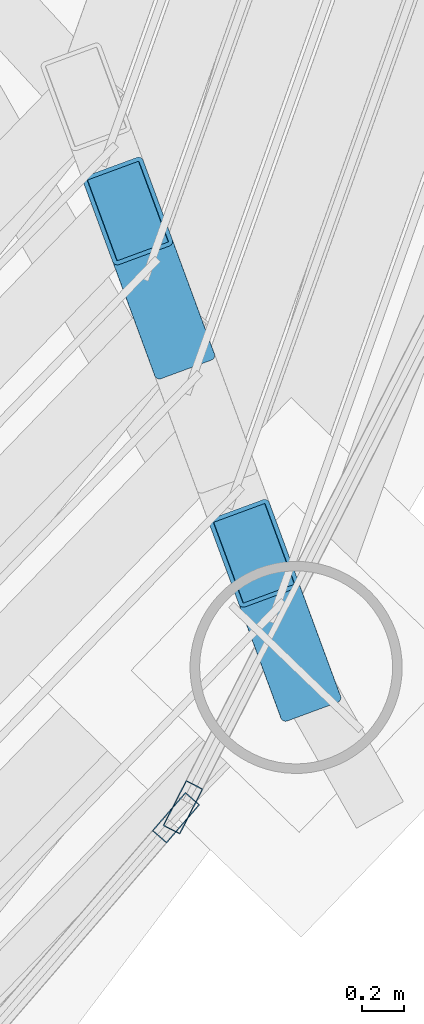
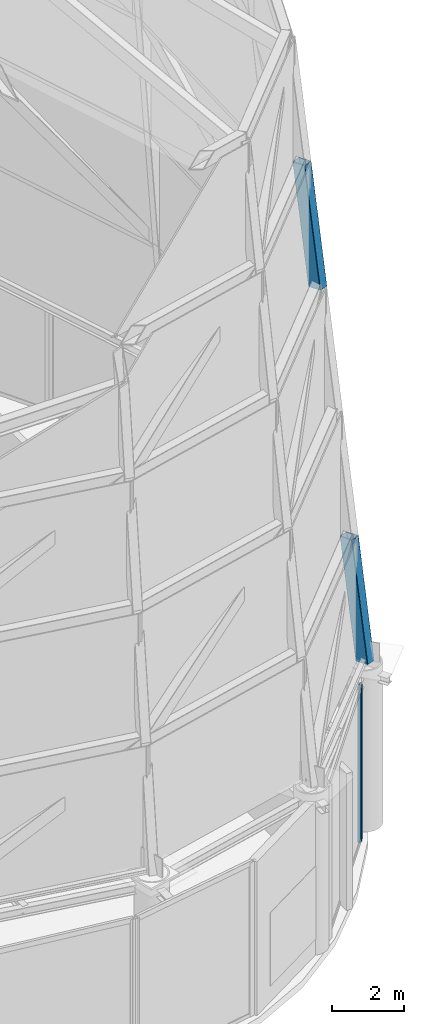
# One storey, part 15 of 40: 4 members, 2 elements without a shape of their own.
"""IFC4 building model written with IfcOpenShell, lengths in metres."""

import ifcopenshell
import ifcopenshell.guid

model = None  # the IFC model being written
_history = None  # IfcOwnerHistory: only IFC2X3 demands one
_inside = {}  # id of a spatial element -> (the spatial element, [elements in it])
_under = {}  # id of a project, library or spatial element -> (it, [spatial elements below it])
_declared = {}  # id of a project -> (the project, [libraries it declares])
_typed = {}  # id of a type object -> (the type object, [elements of that type])
_made_of = {}  # id of a material, layer set ... -> (it, [elements and type objects made of it])


def new_model(schema):
    """Start an empty IFC model of exactly this schema.

    Asked for "IFC4X3", IfcOpenShell would pick the latest addendum, in which some entities
    have other attributes; the version numbers below select the first issue.
    IFC2X3 requires an IfcOwnerHistory on every rooted entity: one is made here for all.
    """
    global model, _history
    if schema == "IFC4X3":
        model = ifcopenshell.file(schema_version=(4, 3, 0, 0))
    else:
        model = ifcopenshell.file(schema=schema)
    _inside.clear()
    _under.clear()
    _declared.clear()
    _typed.clear()
    _made_of.clear()
    _history = None
    if model.schema == "IFC2X3":
        org = make("IfcOrganization", Name="unknown")
        user = make(
            "IfcPersonAndOrganization",
            ThePerson=make("IfcPerson", FamilyName="unknown"),
            TheOrganization=org,
        )
        app = make(
            "IfcApplication",
            ApplicationDeveloper=org,
            Version="unknown",
            ApplicationFullName="unknown",
            ApplicationIdentifier="unknown",
        )
        _history = make(
            "IfcOwnerHistory",
            OwningUser=user,
            OwningApplication=app,
            ChangeAction="ADDED",
            CreationDate=0,
        )
    return model


def make(cls, **values):
    """One entity of the class cls with the attributes given. An attribute that is None is left unset."""
    return model.create_entity(
        cls, **{name: value for name, value in values.items() if value is not None}
    )


def rooted(cls, **values):
    """An entity with a GlobalId (a new one), such as an element, a storey or a relation."""
    return make(cls, GlobalId=ifcopenshell.guid.new(), OwnerHistory=_history, **values)


def si_unit(unit_type, name, prefix=None):
    """IfcSIUnit, for example si_unit("LENGTHUNIT", "METRE", prefix="MILLI")."""
    return make("IfcSIUnit", UnitType=unit_type, Prefix=prefix, Name=name)


def assignment(units):
    """IfcUnitAssignment: the units of a project."""
    return None if units is None else make("IfcUnitAssignment", Units=units)


def point(xyz):
    """IfcCartesianPoint."""
    return None if xyz is None else make("IfcCartesianPoint", Coordinates=xyz)


def direction(xyz):
    """IfcDirection."""
    return None if xyz is None else make("IfcDirection", DirectionRatios=xyz)


def frame(location, z_axis=None, x_axis=None):
    """IfcAxis2Placement3D, a coordinate frame: its origin and axes. An axis left out is left unset."""
    return make(
        "IfcAxis2Placement3D",
        Location=point(location),
        Axis=direction(z_axis),
        RefDirection=direction(x_axis),
    )


def frame_2d(location, x_axis=None):
    """IfcAxis2Placement2D, a coordinate frame in the plane: its origin and x axis."""
    return make(
        "IfcAxis2Placement2D", Location=point(location), RefDirection=direction(x_axis)
    )


def origin():
    """The frame at (0, 0, 0) with its axes left unset."""
    return frame((0.0, 0.0, 0.0))


def origin_2d():
    """The frame at (0, 0) in the plane with its x axis left unset."""
    return frame_2d((0.0, 0.0))


def place(relative_to, where):
    """IfcLocalPlacement: puts the frame where relative to a parent placement (None: the world)."""
    return make(
        "IfcLocalPlacement", PlacementRelTo=relative_to, RelativePlacement=where
    )


def context(
    kind, dimensions, precision=None, world=None, true_north=None, identifier=None
):
    """IfcGeometricRepresentationContext, for example the 3D "Model" context."""
    return make(
        "IfcGeometricRepresentationContext",
        ContextIdentifier=identifier,
        ContextType=kind,
        CoordinateSpaceDimension=dimensions,
        Precision=precision,
        WorldCoordinateSystem=world,
        TrueNorth=true_north,
    )


def subcontext(parent, identifier, kind, view, scale=None):
    """IfcGeometricRepresentationSubContext, for example "Body" below "Model"."""
    return make(
        "IfcGeometricRepresentationSubContext",
        ContextIdentifier=identifier,
        ContextType=kind,
        ParentContext=parent,
        TargetScale=scale,
        TargetView=view,
    )


def project(units=None, contexts=None):
    """IfcProject with its units and contexts."""
    return rooted(
        "IfcProject",
        Name="project",
        RepresentationContexts=contexts,
        UnitsInContext=assignment(units),
    )


def spatial(cls, under=None, at=None, **own):
    """A site, building, storey or space (cls), placed at a placement, below another one or the project."""
    s = rooted(cls, ObjectPlacement=at, **own)
    if under is not None:
        _under.setdefault(under.id(), (under, []))[1].append(s)
    return s


def profile(cls, at=None, kind="AREA", **sizes):
    """A parametric profile (cls). Its sizes go by their IFC names, for example OverallWidth=200.0."""
    return make(cls, ProfileType=kind, Position=at, **sizes)


def hollow_rectangle(**sizes):
    """IfcRectangleHollowProfileDef."""
    return profile("IfcRectangleHollowProfileDef", **sizes)


def extrude(swept, where, along, depth):
    """IfcExtrudedAreaSolid: the profile swept, set in the frame where, extruded along a direction by depth."""
    return make(
        "IfcExtrudedAreaSolid",
        SweptArea=swept,
        Position=where,
        ExtrudedDirection=direction(along),
        Depth=depth,
    )


def shape(context_of_items, identifier, shape_type, items):
    """IfcShapeRepresentation: the items that make up one representation, for example the "Body"."""
    return make(
        "IfcShapeRepresentation",
        ContextOfItems=context_of_items,
        RepresentationIdentifier=identifier,
        RepresentationType=shape_type,
        Items=items,
    )


def material(Name=None, Category=None):
    """IfcMaterial."""
    return make("IfcMaterial", Name=Name, Category=Category)


def layer(
    of_material, thickness, ventilated=None, Name=None, Category=None, Priority=None
):
    """IfcMaterialLayer: one layer of a wall or slab, of a material (None: an air gap)."""
    return make(
        "IfcMaterialLayer",
        Material=of_material,
        LayerThickness=thickness,
        IsVentilated=ventilated,
        Name=Name,
        Category=Category,
        Priority=Priority,
    )


def layer_set(layers, Name=None):
    """IfcMaterialLayerSet."""
    return make("IfcMaterialLayerSet", MaterialLayers=layers, LayerSetName=Name)


def material_profile(
    of_material, cross_section, Name=None, Category=None, Priority=None
):
    """IfcMaterialProfile: a cross section and its material."""
    return make(
        "IfcMaterialProfile",
        Name=Name,
        Material=of_material,
        Profile=cross_section,
        Priority=Priority,
        Category=Category,
    )


def profile_set(profiles, Name=None, composite=None):
    """IfcMaterialProfileSet."""
    return make(
        "IfcMaterialProfileSet",
        Name=Name,
        MaterialProfiles=profiles,
        CompositeProfile=composite,
    )


def made_of(thing, what):
    """Note that an element or type object is made of a material, layer set ...; save() writes the relation."""
    if what is not None:
        _made_of.setdefault(what.id(), (what, []))[1].append(thing)
    return thing


def type_object(cls, material=None, **own):
    """A type object (cls), such as IfcWallType, which elements share."""
    return made_of(rooted(cls, **own), material)


def element(
    cls,
    number,
    at=None,
    inside=None,
    cuts=None,
    type_object=None,
    material=None,
    context=None,
    identifier="Body",
    shape_type=None,
    held_by="IfcProductDefinitionShape",
    body=None,
    shapes=None,
    **own,
):
    """One element of the class cls, such as IfcWall. Its Tag is "e" and its number.

    at: its placement. inside: the storey or other place that contains it. cuts: it is an
    opening in that element (IfcRelVoidsElement). A single representation is given by context,
    identifier, shape_type and body (its items); several are given by shapes. held_by: the class
    of the entity that holds the representations. save() writes the other relations.
    """
    e = rooted(cls, Tag="e%d" % number, ObjectPlacement=at, **own)
    if body is not None:
        shapes = [shape(context, identifier, shape_type, body)]
    if shapes is not None:
        e.Representation = make(held_by, Representations=shapes)
    if inside is not None:
        _inside.setdefault(inside.id(), (inside, []))[1].append(e)
    if cuts is not None:
        rooted(
            "IfcRelVoidsElement", RelatingBuildingElement=cuts, RelatedOpeningElement=e
        )
    if type_object is not None:
        _typed.setdefault(type_object.id(), (type_object, []))[1].append(e)
    return made_of(e, material)


def aggregate(whole, parts):
    """IfcRelAggregates: a whole, such as a stair, and the parts it consists of."""
    return rooted("IfcRelAggregates", RelatingObject=whole, RelatedObjects=parts)


def save(model, path):
    """Write the relations noted so far, then the file.

    IfcRelAggregates (storeys below a building ...), IfcRelContainedInSpatialStructure (elements
    in a storey), IfcRelDefinesByType, IfcRelAssociatesMaterial and IfcRelDeclares: one each for
    every whole, place, type object, material and project.
    """
    for whole, parts in _under.values():
        aggregate(whole, parts)
    for where, things in _inside.values():
        rooted(
            "IfcRelContainedInSpatialStructure",
            RelatedElements=things,
            RelatingStructure=where,
        )
    for kind, things in _typed.values():
        rooted("IfcRelDefinesByType", RelatedObjects=things, RelatingType=kind)
    for what, things in _made_of.values():
        rooted("IfcRelAssociatesMaterial", RelatedObjects=things, RelatingMaterial=what)
    for by, libraries in _declared.values():
        rooted("IfcRelDeclares", RelatingContext=by, RelatedDefinitions=libraries)
    model.write(path)


model = new_model("IFC4")

# Units and contexts
model_context = context("Model", 3, precision=1e-05, world=origin(), true_north=direction((0.0, 1.0)))
body_context = subcontext(model_context, "Body", "Model", "MODEL_VIEW")
ifc_project = project(units=[si_unit("LENGTHUNIT", "METRE"), si_unit("AREAUNIT", "SQUARE_METRE"), si_unit("VOLUMEUNIT", "CUBIC_METRE"), si_unit("PLANEANGLEUNIT", "RADIAN"), si_unit("MASSUNIT", "GRAM", prefix="KILO")], contexts=[model_context])

# Site, building, storey
site_placement = place(None, origin())
site = spatial("IfcSite", under=ifc_project, at=site_placement, CompositionType="ELEMENT")
building_placement = place(site_placement, origin())
building = spatial("IfcBuilding", under=site, at=building_placement, Name="Bramvorn Convention Spire", CompositionType="ELEMENT")
storey_placement = place(building_placement, frame((0.0, 0.0, 312.5)))
storey = spatial("IfcBuildingStorey", under=building, at=storey_placement, Name="L79", CompositionType="ELEMENT", Elevation=312.5)

# Curtain wall, member
ifc_material_1 = material(Name="Anodised Bronze Unitised Curtain Wall", Category="aluminium")
ifc_layer = layer(ifc_material_1, 0.199951171875)
ifc_layer_set = layer_set([ifc_layer], Name="Anodised Bronze Unitised Curtain Wall - CW-CROWN-SPIRE")
curtain_wall_type = type_object("IfcCurtainWallType", Name="CW-CROWN-SPIRE", PredefinedType="USERDEFINED", material=ifc_layer_set)
curtain_wall_1_placement = place(storey_placement, origin())
curtain_wall_1 = element("IfcCurtainWall", 1, at=curtain_wall_1_placement, inside=storey, type_object=curtain_wall_type, Name="L79 fritted glass curtain wall 02", ObjectType="UNITISED CURTAIN WALL", PredefinedType="USERDEFINED")
ifc_material_2 = material(Name="Anodised Bronze Aluminium 6063-T6", Category="aluminium")
ifc_material_profile_1 = material_profile(ifc_material_2, hollow_rectangle(XDim=0.090087890625, YDim=0.239990234375, WallThickness=0.00439453125, InnerFilletRadius=0.0009765625, OuterFilletRadius=0.00439453125, at=origin_2d()))
ifc_profile_set_1 = profile_set([ifc_material_profile_1], Name="Anodised Bronze Aluminium 6063-T6 - CWM90X240")
member_type_1 = type_object("IfcMemberType", Name="CW-MUL-220", PredefinedType="MULLION", material=ifc_profile_set_1)
member_1_placement = place(storey_placement, frame((52.93994140625, 10.347412109375, 0.0), z_axis=(0.0, 0.0, 1.0), x_axis=(0.756460178654, -0.6540397527, 0.0)))
member_1 = element("IfcMember", 2, at=member_1_placement, type_object=member_type_1, Name="CW6 mullion 1", PredefinedType="MULLION", context=body_context, shape_type="SweptSolid", body=[
    extrude(hollow_rectangle(XDim=0.090087890625, YDim=0.239990234375, WallThickness=0.00439453125, InnerFilletRadius=0.0009765625, OuterFilletRadius=0.00439453125, at=origin_2d()), origin(), (0.0, 0.0, 1.0), 5.25),
])
aggregate(curtain_wall_1, [member_1])

curtain_wall_2_placement = place(storey_placement, origin())
curtain_wall_2 = element("IfcCurtainWall", 3, at=curtain_wall_2_placement, inside=storey, type_object=curtain_wall_type, Name="L79 fritted glass curtain wall 03", ObjectType="UNITISED CURTAIN WALL", PredefinedType="USERDEFINED")
member_2_placement = place(storey_placement, frame((52.97314453125, 10.396728515625, 0.0), z_axis=(0.0, 0.0, 1.0), x_axis=(0.890509664931, -0.454964324607, 0.0)))
member_2 = element("IfcMember", 4, at=member_2_placement, type_object=member_type_1, Name="CW6 mullion 2", PredefinedType="MULLION", context=body_context, shape_type="SweptSolid", body=[
    extrude(hollow_rectangle(XDim=0.090087890625, YDim=0.239990234375, WallThickness=0.00439453125, InnerFilletRadius=0.0009765625, OuterFilletRadius=0.00439453125, at=origin_2d()), origin(), (0.0, 0.0, 1.0), 5.25),
])
aggregate(curtain_wall_2, [member_2])

# Members
ifc_material_3 = material(Name="Steel CSA G40.21 Grade 350 (350W)", Category="steel")
ifc_material_profile_2 = material_profile(ifc_material_3, hollow_rectangle(XDim=0.300048828125, YDim=0.449951171875, WallThickness=0.02001953125, InnerFilletRadius=0.00390625, OuterFilletRadius=0.02392578125, at=origin_2d()))
ifc_profile_set_2 = profile_set([ifc_material_profile_2], Name="Steel CSA G40.21 Grade 350 (350W) - CROWN450X300X20")
member_type_2 = type_object("IfcMemberType", Name="MBR-CROWN450X300X20", PredefinedType="USERDEFINED", material=ifc_profile_set_2)
member_3_placement = place(storey_placement, frame((53.50634765625, 11.05615234375, 5.5), z_axis=(-0.049058974058, 0.133160072443, 0.989879594785), x_axis=(-0.938343116817, -0.345705358827, 0.0)))
element("IfcMember", 5, at=member_3_placement, inside=storey, type_object=member_type_2, Name="Crown spire CROWN FRAME rib T1-02", ObjectType="CROWN FRAME", PredefinedType="USERDEFINED", context=body_context, shape_type="SweptSolid", body=[
    extrude(hollow_rectangle(XDim=0.300048828125, YDim=0.449951171875, WallThickness=0.02001953125, InnerFilletRadius=0.00390625, OuterFilletRadius=0.02392578125, at=origin_2d()), origin(), (0.0, 0.0, 1.0), 4.041015625),
])
member_4_placement = place(storey_placement, frame((52.91162109375, 12.670166015625, 17.5), z_axis=(-0.049059368662, 0.13310072557, 0.989887556846), x_axis=(-0.93829220453, -0.345843517966, 0.0)))
element("IfcMember", 6, at=member_4_placement, inside=storey, type_object=member_type_2, Name="Crown spire CROWN FRAME rib T4-02", ObjectType="CROWN FRAME", PredefinedType="USERDEFINED", context=body_context, shape_type="SweptSolid", body=[
    extrude(hollow_rectangle(XDim=0.300048828125, YDim=0.449951171875, WallThickness=0.02001953125, InnerFilletRadius=0.00390625, OuterFilletRadius=0.02392578125, at=origin_2d()), origin(), (0.0, 0.0, 1.0), 4.040771484375),
])

save(model, "model.ifc")
